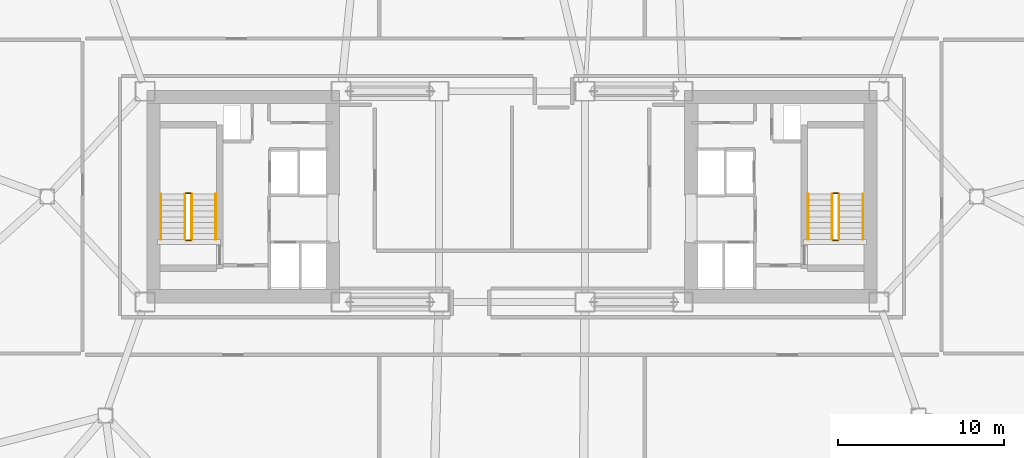
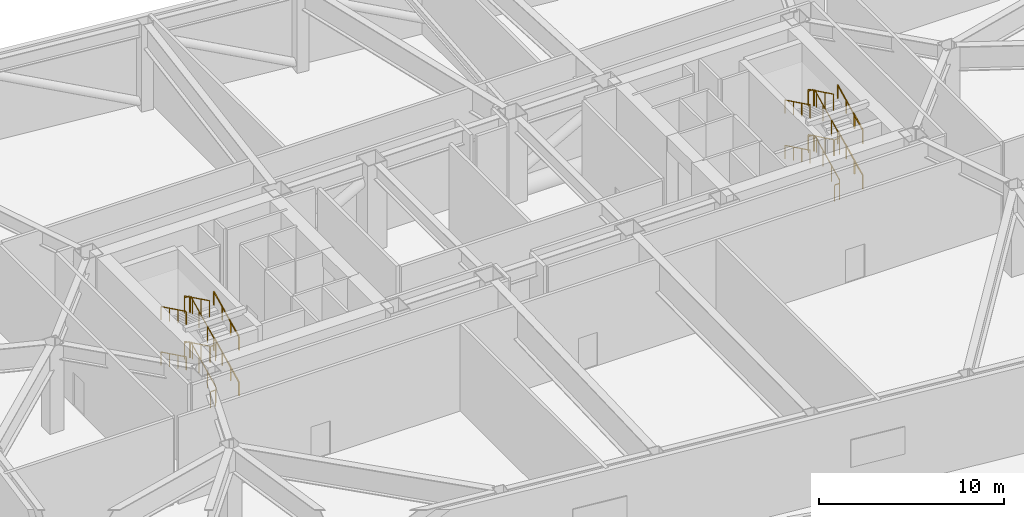
# One storey, part 14 of 14: 24 railings.
"""IFC4 building model written with IfcOpenShell, lengths in metres."""

from ifc_helpers import new_model, si_unit, direction, frame, origin, origin_2d, place, context, subcontext, project, spatial, rectangle, extrude, material, layer, layer_set, type_object, element, save


model = new_model("IFC4")

# Units and contexts
model_context = context("Model", 3, precision=1e-05, world=origin(), true_north=direction((0.0, 1.0)))
body_context = subcontext(model_context, "Body", "Model", "MODEL_VIEW")
ifc_project = project(units=[si_unit("LENGTHUNIT", "METRE"), si_unit("AREAUNIT", "SQUARE_METRE"), si_unit("VOLUMEUNIT", "CUBIC_METRE"), si_unit("PLANEANGLEUNIT", "RADIAN"), si_unit("MASSUNIT", "GRAM", prefix="KILO")], contexts=[model_context])

# Site, building, storey
site_placement = place(None, origin())
site = spatial("IfcSite", under=ifc_project, at=site_placement, CompositionType="ELEMENT")
building_placement = place(site_placement, origin())
building = spatial("IfcBuilding", under=site, at=building_placement, Name="Tavrogorsk Clinical Tower", CompositionType="ELEMENT")
storey_placement = place(building_placement, frame((0.0, 0.0, 83.39990234375)))
storey = spatial("IfcBuildingStorey", under=building, at=storey_placement, Name="L18", CompositionType="ELEMENT", Elevation=83.39990234375)

# Railings
ifc_material_1 = material(Name="Galvanised steel S355 safety stairwell guard", Category="steel")
ifc_layer_1 = layer(ifc_material_1, 0.06005859375)
ifc_layer_set_1 = layer_set([ifc_layer_1], Name="Galvanised steel S355 safety stairwell guard")
railing_type_1 = type_object("IfcRailingType", Name="StairGuard_1150", PredefinedType="GUARDRAIL", material=ifc_layer_set_1)
railing_1_placement = place(storey_placement, frame((-19.300048828125, -2.574951171875, 0.166748046875)))
element("IfcRailing", 1, at=railing_1_placement, inside=storey, type_object=railing_type_1, Name="L18 ST-W stair guard 1", PredefinedType="GUARDRAIL", context=body_context, shape_type="SweptSolid", body=[
    extrude(rectangle(XDim=0.048095703125, YDim=0.048095703125, at=origin_2d()), frame((0.0, 0.0, 1.076171875), z_axis=(0.0, 0.897929466783, 0.4401393787), x_axis=(-1.0, 0.0, 0.0)), (0.0, 0.0, 1.0), 3.029052734375),
    extrude(rectangle(XDim=0.0419921875, YDim=0.0419921875, at=origin_2d()), origin(), (0.0, 0.0, 1.0), 1.052001953125),
    extrude(rectangle(XDim=0.0419921875, YDim=0.0419921875, at=origin_2d()), frame((0.0, 0.90673828125, 0.4443359375)), (0.0, 0.0, 1.0), 1.052001953125),
    extrude(rectangle(XDim=0.0419921875, YDim=0.0419921875, at=origin_2d()), frame((0.0, 1.813232421875, 0.888916015625)), (0.0, 0.0, 1.0), 1.052001953125),
    extrude(rectangle(XDim=0.0419921875, YDim=0.0419921875, at=origin_2d()), frame((0.0, 2.719970703125, 1.333251953125)), (0.0, 0.0, 1.0), 1.052001953125),
])
railing_2_placement = place(storey_placement, frame((-19.35009765625, 0.195068359375, 1.5)))
element("IfcRailing", 2, at=railing_2_placement, inside=storey, type_object=railing_type_1, Name="L18 ST-W stair guard 2", PredefinedType="GUARDRAIL", context=body_context, shape_type="SweptSolid", body=[
    extrude(rectangle(XDim=0.048095703125, YDim=0.048095703125, at=origin_2d()), frame((0.0, 0.0, 1.076171875), z_axis=(-1.0, 0.0, 0.0), x_axis=(0.0, -1.0, 0.0)), (0.0, 0.0, 1.0), 0.2998046875),
    extrude(rectangle(XDim=0.0419921875, YDim=0.0419921875, at=origin_2d()), origin(), (0.0, 0.0, 1.0), 1.052001953125),
    extrude(rectangle(XDim=0.0419921875, YDim=0.0419921875, at=origin_2d()), frame((-0.2998046875, 0.0, 0.0)), (0.0, 0.0, 1.0), 1.052001953125),
])
railing_3_placement = place(storey_placement, frame((-19.699951171875, 0.14501953125, 1.666748046875)))
element("IfcRailing", 3, at=railing_3_placement, inside=storey, type_object=railing_type_1, Name="L18 ST-W stair guard 3", PredefinedType="GUARDRAIL", context=body_context, shape_type="SweptSolid", body=[
    extrude(rectangle(XDim=0.048095703125, YDim=0.048095703125, at=origin_2d()), frame((0.0, 0.0, 1.076171875), z_axis=(0.0, -0.897929466783, 0.4401393787), x_axis=(1.0, 0.0, 0.0)), (0.0, 0.0, 1.0), 3.029052734375),
    extrude(rectangle(XDim=0.0419921875, YDim=0.0419921875, at=origin_2d()), origin(), (0.0, 0.0, 1.0), 1.052001953125),
    extrude(rectangle(XDim=0.0419921875, YDim=0.0419921875, at=origin_2d()), frame((0.0, -0.90673828125, 0.4443359375)), (0.0, 0.0, 1.0), 1.052001953125),
    extrude(rectangle(XDim=0.0419921875, YDim=0.0419921875, at=origin_2d()), frame((0.0, -1.813232421875, 0.888916015625)), (0.0, 0.0, 1.0), 1.052001953125),
    extrude(rectangle(XDim=0.0419921875, YDim=0.0419921875, at=origin_2d()), frame((0.0, -2.719970703125, 1.333251953125)), (0.0, 0.0, 1.0), 1.052001953125),
])
railing_4_placement = place(storey_placement, frame((-19.35009765625, -2.625, 3.0)))
element("IfcRailing", 4, at=railing_4_placement, inside=storey, type_object=railing_type_1, Name="L18 ST-W stair guard 4", PredefinedType="GUARDRAIL", context=body_context, shape_type="SweptSolid", body=[
    extrude(rectangle(XDim=0.048095703125, YDim=0.048095703125, at=origin_2d()), frame((0.0, 0.0, 1.076171875), z_axis=(-1.0, 0.0, 0.0), x_axis=(0.0, -1.0, 0.0)), (0.0, 0.0, 1.0), 0.2998046875),
    extrude(rectangle(XDim=0.0419921875, YDim=0.0419921875, at=origin_2d()), origin(), (0.0, 0.0, 1.0), 1.052001953125),
    extrude(rectangle(XDim=0.0419921875, YDim=0.0419921875, at=origin_2d()), frame((-0.2998046875, 0.0, 0.0)), (0.0, 0.0, 1.0), 1.052001953125),
])
railing_5_placement = place(storey_placement, frame((-19.300048828125, -2.574951171875, 3.166748046875)))
element("IfcRailing", 5, at=railing_5_placement, inside=storey, type_object=railing_type_1, Name="L18 ST-W stair guard 5", PredefinedType="GUARDRAIL", context=body_context, shape_type="SweptSolid", body=[
    extrude(rectangle(XDim=0.048095703125, YDim=0.048095703125, at=origin_2d()), frame((0.0, 0.0, 1.076171875), z_axis=(0.0, 0.897929466783, 0.4401393787), x_axis=(-1.0, 0.0, 0.0)), (0.0, 0.0, 1.0), 3.029052734375),
    extrude(rectangle(XDim=0.0419921875, YDim=0.0419921875, at=origin_2d()), origin(), (0.0, 0.0, 1.0), 1.052001953125),
    extrude(rectangle(XDim=0.0419921875, YDim=0.0419921875, at=origin_2d()), frame((0.0, 0.90673828125, 0.4443359375)), (0.0, 0.0, 1.0), 1.052001953125),
    extrude(rectangle(XDim=0.0419921875, YDim=0.0419921875, at=origin_2d()), frame((0.0, 1.813232421875, 0.888916015625)), (0.0, 0.0, 1.0), 1.052001953125),
    extrude(rectangle(XDim=0.0419921875, YDim=0.0419921875, at=origin_2d()), frame((0.0, 2.719970703125, 1.333251953125)), (0.0, 0.0, 1.0), 1.052001953125),
])
railing_6_placement = place(storey_placement, frame((-19.35009765625, 0.195068359375, 4.5)))
element("IfcRailing", 6, at=railing_6_placement, inside=storey, type_object=railing_type_1, Name="L18 ST-W stair guard 6", PredefinedType="GUARDRAIL", context=body_context, shape_type="SweptSolid", body=[
    extrude(rectangle(XDim=0.048095703125, YDim=0.048095703125, at=origin_2d()), frame((0.0, 0.0, 1.076171875), z_axis=(-1.0, 0.0, 0.0), x_axis=(0.0, -1.0, 0.0)), (0.0, 0.0, 1.0), 0.2998046875),
    extrude(rectangle(XDim=0.0419921875, YDim=0.0419921875, at=origin_2d()), origin(), (0.0, 0.0, 1.0), 1.052001953125),
    extrude(rectangle(XDim=0.0419921875, YDim=0.0419921875, at=origin_2d()), frame((-0.2998046875, 0.0, 0.0)), (0.0, 0.0, 1.0), 1.052001953125),
])
railing_7_placement = place(storey_placement, frame((-19.699951171875, 0.14501953125, 4.666748046875)))
element("IfcRailing", 7, at=railing_7_placement, inside=storey, type_object=railing_type_1, Name="L18 ST-W stair guard 7", PredefinedType="GUARDRAIL", context=body_context, shape_type="SweptSolid", body=[
    extrude(rectangle(XDim=0.048095703125, YDim=0.048095703125, at=origin_2d()), frame((0.0, 0.0, 1.076171875), z_axis=(0.0, -0.897929466783, 0.4401393787), x_axis=(1.0, 0.0, 0.0)), (0.0, 0.0, 1.0), 3.029052734375),
    extrude(rectangle(XDim=0.0419921875, YDim=0.0419921875, at=origin_2d()), origin(), (0.0, 0.0, 1.0), 1.052001953125),
    extrude(rectangle(XDim=0.0419921875, YDim=0.0419921875, at=origin_2d()), frame((0.0, -0.90673828125, 0.4443359375)), (0.0, 0.0, 1.0), 1.052001953125),
    extrude(rectangle(XDim=0.0419921875, YDim=0.0419921875, at=origin_2d()), frame((0.0, -1.813232421875, 0.888916015625)), (0.0, 0.0, 1.0), 1.052001953125),
    extrude(rectangle(XDim=0.0419921875, YDim=0.0419921875, at=origin_2d()), frame((0.0, -2.719970703125, 1.333251953125)), (0.0, 0.0, 1.0), 1.052001953125),
])
railing_8_placement = place(storey_placement, frame((-19.35009765625, -2.625, 0.0)))
element("IfcRailing", 8, at=railing_8_placement, inside=storey, type_object=railing_type_1, Name="L18 ST-W stair guard 8", PredefinedType="GUARDRAIL", context=body_context, shape_type="SweptSolid", body=[
    extrude(rectangle(XDim=0.048095703125, YDim=0.048095703125, at=origin_2d()), frame((0.0, 0.0, 1.076171875), z_axis=(-1.0, 0.0, 0.0), x_axis=(0.0, -1.0, 0.0)), (0.0, 0.0, 1.0), 0.2998046875),
    extrude(rectangle(XDim=0.0419921875, YDim=0.0419921875, at=origin_2d()), origin(), (0.0, 0.0, 1.0), 1.052001953125),
    extrude(rectangle(XDim=0.0419921875, YDim=0.0419921875, at=origin_2d()), frame((-0.2998046875, 0.0, 0.0)), (0.0, 0.0, 1.0), 1.052001953125),
])
railing_9_placement = place(storey_placement, frame((19.699951171875, -2.574951171875, 0.166748046875)))
element("IfcRailing", 9, at=railing_9_placement, inside=storey, type_object=railing_type_1, Name="L18 ST-E stair guard 1", PredefinedType="GUARDRAIL", context=body_context, shape_type="SweptSolid", body=[
    extrude(rectangle(XDim=0.048095703125, YDim=0.048095703125, at=origin_2d()), frame((0.0, 0.0, 1.076171875), z_axis=(0.0, 0.897929466783, 0.4401393787), x_axis=(-1.0, 0.0, 0.0)), (0.0, 0.0, 1.0), 3.029052734375),
    extrude(rectangle(XDim=0.0419921875, YDim=0.0419921875, at=origin_2d()), origin(), (0.0, 0.0, 1.0), 1.052001953125),
    extrude(rectangle(XDim=0.0419921875, YDim=0.0419921875, at=origin_2d()), frame((0.0, 0.90673828125, 0.4443359375)), (0.0, 0.0, 1.0), 1.052001953125),
    extrude(rectangle(XDim=0.0419921875, YDim=0.0419921875, at=origin_2d()), frame((0.0, 1.813232421875, 0.888916015625)), (0.0, 0.0, 1.0), 1.052001953125),
    extrude(rectangle(XDim=0.0419921875, YDim=0.0419921875, at=origin_2d()), frame((0.0, 2.719970703125, 1.333251953125)), (0.0, 0.0, 1.0), 1.052001953125),
])
railing_10_placement = place(storey_placement, frame((19.64990234375, 0.195068359375, 1.5)))
element("IfcRailing", 10, at=railing_10_placement, inside=storey, type_object=railing_type_1, Name="L18 ST-E stair guard 2", PredefinedType="GUARDRAIL", context=body_context, shape_type="SweptSolid", body=[
    extrude(rectangle(XDim=0.048095703125, YDim=0.048095703125, at=origin_2d()), frame((0.0, 0.0, 1.076171875), z_axis=(-1.0, 0.0, 0.0), x_axis=(0.0, -1.0, 0.0)), (0.0, 0.0, 1.0), 0.2998046875),
    extrude(rectangle(XDim=0.0419921875, YDim=0.0419921875, at=origin_2d()), origin(), (0.0, 0.0, 1.0), 1.052001953125),
    extrude(rectangle(XDim=0.0419921875, YDim=0.0419921875, at=origin_2d()), frame((-0.2998046875, 0.0, 0.0)), (0.0, 0.0, 1.0), 1.052001953125),
])
railing_11_placement = place(storey_placement, frame((19.300048828125, 0.14501953125, 1.666748046875)))
element("IfcRailing", 11, at=railing_11_placement, inside=storey, type_object=railing_type_1, Name="L18 ST-E stair guard 3", PredefinedType="GUARDRAIL", context=body_context, shape_type="SweptSolid", body=[
    extrude(rectangle(XDim=0.048095703125, YDim=0.048095703125, at=origin_2d()), frame((0.0, 0.0, 1.076171875), z_axis=(0.0, -0.897929466783, 0.4401393787), x_axis=(1.0, 0.0, 0.0)), (0.0, 0.0, 1.0), 3.029052734375),
    extrude(rectangle(XDim=0.0419921875, YDim=0.0419921875, at=origin_2d()), origin(), (0.0, 0.0, 1.0), 1.052001953125),
    extrude(rectangle(XDim=0.0419921875, YDim=0.0419921875, at=origin_2d()), frame((0.0, -0.90673828125, 0.4443359375)), (0.0, 0.0, 1.0), 1.052001953125),
    extrude(rectangle(XDim=0.0419921875, YDim=0.0419921875, at=origin_2d()), frame((0.0, -1.813232421875, 0.888916015625)), (0.0, 0.0, 1.0), 1.052001953125),
    extrude(rectangle(XDim=0.0419921875, YDim=0.0419921875, at=origin_2d()), frame((0.0, -2.719970703125, 1.333251953125)), (0.0, 0.0, 1.0), 1.052001953125),
])
railing_12_placement = place(storey_placement, frame((19.64990234375, -2.625, 3.0)))
element("IfcRailing", 12, at=railing_12_placement, inside=storey, type_object=railing_type_1, Name="L18 ST-E stair guard 4", PredefinedType="GUARDRAIL", context=body_context, shape_type="SweptSolid", body=[
    extrude(rectangle(XDim=0.048095703125, YDim=0.048095703125, at=origin_2d()), frame((0.0, 0.0, 1.076171875), z_axis=(-1.0, 0.0, 0.0), x_axis=(0.0, -1.0, 0.0)), (0.0, 0.0, 1.0), 0.2998046875),
    extrude(rectangle(XDim=0.0419921875, YDim=0.0419921875, at=origin_2d()), origin(), (0.0, 0.0, 1.0), 1.052001953125),
    extrude(rectangle(XDim=0.0419921875, YDim=0.0419921875, at=origin_2d()), frame((-0.2998046875, 0.0, 0.0)), (0.0, 0.0, 1.0), 1.052001953125),
])
railing_13_placement = place(storey_placement, frame((19.699951171875, -2.574951171875, 3.166748046875)))
element("IfcRailing", 13, at=railing_13_placement, inside=storey, type_object=railing_type_1, Name="L18 ST-E stair guard 5", PredefinedType="GUARDRAIL", context=body_context, shape_type="SweptSolid", body=[
    extrude(rectangle(XDim=0.048095703125, YDim=0.048095703125, at=origin_2d()), frame((0.0, 0.0, 1.076171875), z_axis=(0.0, 0.897929466783, 0.4401393787), x_axis=(-1.0, 0.0, 0.0)), (0.0, 0.0, 1.0), 3.029052734375),
    extrude(rectangle(XDim=0.0419921875, YDim=0.0419921875, at=origin_2d()), origin(), (0.0, 0.0, 1.0), 1.052001953125),
    extrude(rectangle(XDim=0.0419921875, YDim=0.0419921875, at=origin_2d()), frame((0.0, 0.90673828125, 0.4443359375)), (0.0, 0.0, 1.0), 1.052001953125),
    extrude(rectangle(XDim=0.0419921875, YDim=0.0419921875, at=origin_2d()), frame((0.0, 1.813232421875, 0.888916015625)), (0.0, 0.0, 1.0), 1.052001953125),
    extrude(rectangle(XDim=0.0419921875, YDim=0.0419921875, at=origin_2d()), frame((0.0, 2.719970703125, 1.333251953125)), (0.0, 0.0, 1.0), 1.052001953125),
])
railing_14_placement = place(storey_placement, frame((19.64990234375, 0.195068359375, 4.5)))
element("IfcRailing", 14, at=railing_14_placement, inside=storey, type_object=railing_type_1, Name="L18 ST-E stair guard 6", PredefinedType="GUARDRAIL", context=body_context, shape_type="SweptSolid", body=[
    extrude(rectangle(XDim=0.048095703125, YDim=0.048095703125, at=origin_2d()), frame((0.0, 0.0, 1.076171875), z_axis=(-1.0, 0.0, 0.0), x_axis=(0.0, -1.0, 0.0)), (0.0, 0.0, 1.0), 0.2998046875),
    extrude(rectangle(XDim=0.0419921875, YDim=0.0419921875, at=origin_2d()), origin(), (0.0, 0.0, 1.0), 1.052001953125),
    extrude(rectangle(XDim=0.0419921875, YDim=0.0419921875, at=origin_2d()), frame((-0.2998046875, 0.0, 0.0)), (0.0, 0.0, 1.0), 1.052001953125),
])
railing_15_placement = place(storey_placement, frame((19.300048828125, 0.14501953125, 4.666748046875)))
element("IfcRailing", 15, at=railing_15_placement, inside=storey, type_object=railing_type_1, Name="L18 ST-E stair guard 7", PredefinedType="GUARDRAIL", context=body_context, shape_type="SweptSolid", body=[
    extrude(rectangle(XDim=0.048095703125, YDim=0.048095703125, at=origin_2d()), frame((0.0, 0.0, 1.076171875), z_axis=(0.0, -0.897929466783, 0.4401393787), x_axis=(1.0, 0.0, 0.0)), (0.0, 0.0, 1.0), 3.029052734375),
    extrude(rectangle(XDim=0.0419921875, YDim=0.0419921875, at=origin_2d()), origin(), (0.0, 0.0, 1.0), 1.052001953125),
    extrude(rectangle(XDim=0.0419921875, YDim=0.0419921875, at=origin_2d()), frame((0.0, -0.90673828125, 0.4443359375)), (0.0, 0.0, 1.0), 1.052001953125),
    extrude(rectangle(XDim=0.0419921875, YDim=0.0419921875, at=origin_2d()), frame((0.0, -1.813232421875, 0.888916015625)), (0.0, 0.0, 1.0), 1.052001953125),
    extrude(rectangle(XDim=0.0419921875, YDim=0.0419921875, at=origin_2d()), frame((0.0, -2.719970703125, 1.333251953125)), (0.0, 0.0, 1.0), 1.052001953125),
])
railing_16_placement = place(storey_placement, frame((19.64990234375, -2.625, 0.0)))
element("IfcRailing", 16, at=railing_16_placement, inside=storey, type_object=railing_type_1, Name="L18 ST-E stair guard 8", PredefinedType="GUARDRAIL", context=body_context, shape_type="SweptSolid", body=[
    extrude(rectangle(XDim=0.048095703125, YDim=0.048095703125, at=origin_2d()), frame((0.0, 0.0, 1.076171875), z_axis=(-1.0, 0.0, 0.0), x_axis=(0.0, -1.0, 0.0)), (0.0, 0.0, 1.0), 0.2998046875),
    extrude(rectangle(XDim=0.0419921875, YDim=0.0419921875, at=origin_2d()), origin(), (0.0, 0.0, 1.0), 1.052001953125),
    extrude(rectangle(XDim=0.0419921875, YDim=0.0419921875, at=origin_2d()), frame((-0.2998046875, 0.0, 0.0)), (0.0, 0.0, 1.0), 1.052001953125),
])
ifc_material_2 = material(Name="Stainless steel AISI 304 tubular handrail", Category="steel")
ifc_layer_2 = layer(ifc_material_2, 0.050048828125)
ifc_layer_set_2 = layer_set([ifc_layer_2], Name="Stainless steel AISI 304 tubular handrail")
railing_type_2 = type_object("IfcRailingType", Name="StairHandrail_920", PredefinedType="HANDRAIL", material=ifc_layer_set_2)
railing_17_placement = place(storey_placement, frame((-17.85009765625, -2.574951171875, 0.166748046875)))
element("IfcRailing", 17, at=railing_17_placement, inside=storey, type_object=railing_type_2, Name="L18 ST-W stair handrail 1", PredefinedType="HANDRAIL", context=body_context, shape_type="SweptSolid", body=[
    extrude(rectangle(XDim=0.048095703125, YDim=0.048095703125, at=origin_2d()), frame((0.0, 0.0, 0.8759765625), z_axis=(0.0, 0.897929466783, 0.4401393787), x_axis=(-1.0, 0.0, 0.0)), (0.0, 0.0, 1.0), 3.029052734375),
    extrude(rectangle(XDim=0.0419921875, YDim=0.0419921875, at=origin_2d()), origin(), (0.0, 0.0, 1.0), 0.851806640625),
    extrude(rectangle(XDim=0.0419921875, YDim=0.0419921875, at=origin_2d()), frame((0.0, 0.90673828125, 0.4443359375)), (0.0, 0.0, 1.0), 0.851806640625),
    extrude(rectangle(XDim=0.0419921875, YDim=0.0419921875, at=origin_2d()), frame((0.0, 1.813232421875, 0.888916015625)), (0.0, 0.0, 1.0), 0.851806640625),
    extrude(rectangle(XDim=0.0419921875, YDim=0.0419921875, at=origin_2d()), frame((0.0, 2.719970703125, 1.333251953125)), (0.0, 0.0, 1.0), 0.851806640625),
])
railing_18_placement = place(storey_placement, frame((-21.14990234375, 0.14501953125, 1.666748046875)))
element("IfcRailing", 18, at=railing_18_placement, inside=storey, type_object=railing_type_2, Name="L18 ST-W stair handrail 2", PredefinedType="HANDRAIL", context=body_context, shape_type="SweptSolid", body=[
    extrude(rectangle(XDim=0.048095703125, YDim=0.048095703125, at=origin_2d()), frame((0.0, 0.0, 0.8759765625), z_axis=(0.0, -0.897929466783, 0.4401393787), x_axis=(1.0, 0.0, 0.0)), (0.0, 0.0, 1.0), 3.029052734375),
    extrude(rectangle(XDim=0.0419921875, YDim=0.0419921875, at=origin_2d()), origin(), (0.0, 0.0, 1.0), 0.851806640625),
    extrude(rectangle(XDim=0.0419921875, YDim=0.0419921875, at=origin_2d()), frame((0.0, -0.90673828125, 0.4443359375)), (0.0, 0.0, 1.0), 0.851806640625),
    extrude(rectangle(XDim=0.0419921875, YDim=0.0419921875, at=origin_2d()), frame((0.0, -1.813232421875, 0.888916015625)), (0.0, 0.0, 1.0), 0.851806640625),
    extrude(rectangle(XDim=0.0419921875, YDim=0.0419921875, at=origin_2d()), frame((0.0, -2.719970703125, 1.333251953125)), (0.0, 0.0, 1.0), 0.851806640625),
])
railing_19_placement = place(storey_placement, frame((-17.85009765625, -2.574951171875, 3.166748046875)))
element("IfcRailing", 19, at=railing_19_placement, inside=storey, type_object=railing_type_2, Name="L18 ST-W stair handrail 3", PredefinedType="HANDRAIL", context=body_context, shape_type="SweptSolid", body=[
    extrude(rectangle(XDim=0.048095703125, YDim=0.048095703125, at=origin_2d()), frame((0.0, 0.0, 0.8759765625), z_axis=(0.0, 0.897929466783, 0.4401393787), x_axis=(-1.0, 0.0, 0.0)), (0.0, 0.0, 1.0), 3.029052734375),
    extrude(rectangle(XDim=0.0419921875, YDim=0.0419921875, at=origin_2d()), origin(), (0.0, 0.0, 1.0), 0.851806640625),
    extrude(rectangle(XDim=0.0419921875, YDim=0.0419921875, at=origin_2d()), frame((0.0, 0.90673828125, 0.4443359375)), (0.0, 0.0, 1.0), 0.851806640625),
    extrude(rectangle(XDim=0.0419921875, YDim=0.0419921875, at=origin_2d()), frame((0.0, 1.813232421875, 0.888916015625)), (0.0, 0.0, 1.0), 0.851806640625),
    extrude(rectangle(XDim=0.0419921875, YDim=0.0419921875, at=origin_2d()), frame((0.0, 2.719970703125, 1.333251953125)), (0.0, 0.0, 1.0), 0.851806640625),
])
railing_20_placement = place(storey_placement, frame((-21.14990234375, 0.14501953125, 4.666748046875)))
element("IfcRailing", 20, at=railing_20_placement, inside=storey, type_object=railing_type_2, Name="L18 ST-W stair handrail 4", PredefinedType="HANDRAIL", context=body_context, shape_type="SweptSolid", body=[
    extrude(rectangle(XDim=0.048095703125, YDim=0.048095703125, at=origin_2d()), frame((0.0, 0.0, 0.8759765625), z_axis=(0.0, -0.897929466783, 0.4401393787), x_axis=(1.0, 0.0, 0.0)), (0.0, 0.0, 1.0), 3.029052734375),
    extrude(rectangle(XDim=0.0419921875, YDim=0.0419921875, at=origin_2d()), origin(), (0.0, 0.0, 1.0), 0.851806640625),
    extrude(rectangle(XDim=0.0419921875, YDim=0.0419921875, at=origin_2d()), frame((0.0, -0.90673828125, 0.4443359375)), (0.0, 0.0, 1.0), 0.851806640625),
    extrude(rectangle(XDim=0.0419921875, YDim=0.0419921875, at=origin_2d()), frame((0.0, -1.813232421875, 0.888916015625)), (0.0, 0.0, 1.0), 0.851806640625),
    extrude(rectangle(XDim=0.0419921875, YDim=0.0419921875, at=origin_2d()), frame((0.0, -2.719970703125, 1.333251953125)), (0.0, 0.0, 1.0), 0.851806640625),
])
railing_21_placement = place(storey_placement, frame((21.14990234375, -2.574951171875, 0.166748046875)))
element("IfcRailing", 21, at=railing_21_placement, inside=storey, type_object=railing_type_2, Name="L18 ST-E stair handrail 1", PredefinedType="HANDRAIL", context=body_context, shape_type="SweptSolid", body=[
    extrude(rectangle(XDim=0.048095703125, YDim=0.048095703125, at=origin_2d()), frame((0.0, 0.0, 0.8759765625), z_axis=(0.0, 0.897929466783, 0.4401393787), x_axis=(-1.0, 0.0, 0.0)), (0.0, 0.0, 1.0), 3.029052734375),
    extrude(rectangle(XDim=0.0419921875, YDim=0.0419921875, at=origin_2d()), origin(), (0.0, 0.0, 1.0), 0.851806640625),
    extrude(rectangle(XDim=0.0419921875, YDim=0.0419921875, at=origin_2d()), frame((0.0, 0.90673828125, 0.4443359375)), (0.0, 0.0, 1.0), 0.851806640625),
    extrude(rectangle(XDim=0.0419921875, YDim=0.0419921875, at=origin_2d()), frame((0.0, 1.813232421875, 0.888916015625)), (0.0, 0.0, 1.0), 0.851806640625),
    extrude(rectangle(XDim=0.0419921875, YDim=0.0419921875, at=origin_2d()), frame((0.0, 2.719970703125, 1.333251953125)), (0.0, 0.0, 1.0), 0.851806640625),
])
railing_22_placement = place(storey_placement, frame((17.85009765625, 0.14501953125, 1.666748046875)))
element("IfcRailing", 22, at=railing_22_placement, inside=storey, type_object=railing_type_2, Name="L18 ST-E stair handrail 2", PredefinedType="HANDRAIL", context=body_context, shape_type="SweptSolid", body=[
    extrude(rectangle(XDim=0.048095703125, YDim=0.048095703125, at=origin_2d()), frame((0.0, 0.0, 0.8759765625), z_axis=(0.0, -0.897929466783, 0.4401393787), x_axis=(1.0, 0.0, 0.0)), (0.0, 0.0, 1.0), 3.029052734375),
    extrude(rectangle(XDim=0.0419921875, YDim=0.0419921875, at=origin_2d()), origin(), (0.0, 0.0, 1.0), 0.851806640625),
    extrude(rectangle(XDim=0.0419921875, YDim=0.0419921875, at=origin_2d()), frame((0.0, -0.90673828125, 0.4443359375)), (0.0, 0.0, 1.0), 0.851806640625),
    extrude(rectangle(XDim=0.0419921875, YDim=0.0419921875, at=origin_2d()), frame((0.0, -1.813232421875, 0.888916015625)), (0.0, 0.0, 1.0), 0.851806640625),
    extrude(rectangle(XDim=0.0419921875, YDim=0.0419921875, at=origin_2d()), frame((0.0, -2.719970703125, 1.333251953125)), (0.0, 0.0, 1.0), 0.851806640625),
])
railing_23_placement = place(storey_placement, frame((21.14990234375, -2.574951171875, 3.166748046875)))
element("IfcRailing", 23, at=railing_23_placement, inside=storey, type_object=railing_type_2, Name="L18 ST-E stair handrail 3", PredefinedType="HANDRAIL", context=body_context, shape_type="SweptSolid", body=[
    extrude(rectangle(XDim=0.048095703125, YDim=0.048095703125, at=origin_2d()), frame((0.0, 0.0, 0.8759765625), z_axis=(0.0, 0.897929466783, 0.4401393787), x_axis=(-1.0, 0.0, 0.0)), (0.0, 0.0, 1.0), 3.029052734375),
    extrude(rectangle(XDim=0.0419921875, YDim=0.0419921875, at=origin_2d()), origin(), (0.0, 0.0, 1.0), 0.851806640625),
    extrude(rectangle(XDim=0.0419921875, YDim=0.0419921875, at=origin_2d()), frame((0.0, 0.90673828125, 0.4443359375)), (0.0, 0.0, 1.0), 0.851806640625),
    extrude(rectangle(XDim=0.0419921875, YDim=0.0419921875, at=origin_2d()), frame((0.0, 1.813232421875, 0.888916015625)), (0.0, 0.0, 1.0), 0.851806640625),
    extrude(rectangle(XDim=0.0419921875, YDim=0.0419921875, at=origin_2d()), frame((0.0, 2.719970703125, 1.333251953125)), (0.0, 0.0, 1.0), 0.851806640625),
])
railing_24_placement = place(storey_placement, frame((17.85009765625, 0.14501953125, 4.666748046875)))
element("IfcRailing", 24, at=railing_24_placement, inside=storey, type_object=railing_type_2, Name="L18 ST-E stair handrail 4", PredefinedType="HANDRAIL", context=body_context, shape_type="SweptSolid", body=[
    extrude(rectangle(XDim=0.048095703125, YDim=0.048095703125, at=origin_2d()), frame((0.0, 0.0, 0.8759765625), z_axis=(0.0, -0.897929466783, 0.4401393787), x_axis=(1.0, 0.0, 0.0)), (0.0, 0.0, 1.0), 3.029052734375),
    extrude(rectangle(XDim=0.0419921875, YDim=0.0419921875, at=origin_2d()), origin(), (0.0, 0.0, 1.0), 0.851806640625),
    extrude(rectangle(XDim=0.0419921875, YDim=0.0419921875, at=origin_2d()), frame((0.0, -0.90673828125, 0.4443359375)), (0.0, 0.0, 1.0), 0.851806640625),
    extrude(rectangle(XDim=0.0419921875, YDim=0.0419921875, at=origin_2d()), frame((0.0, -1.813232421875, 0.888916015625)), (0.0, 0.0, 1.0), 0.851806640625),
    extrude(rectangle(XDim=0.0419921875, YDim=0.0419921875, at=origin_2d()), frame((0.0, -2.719970703125, 1.333251953125)), (0.0, 0.0, 1.0), 0.851806640625),
])

save(model, "model.ifc")
